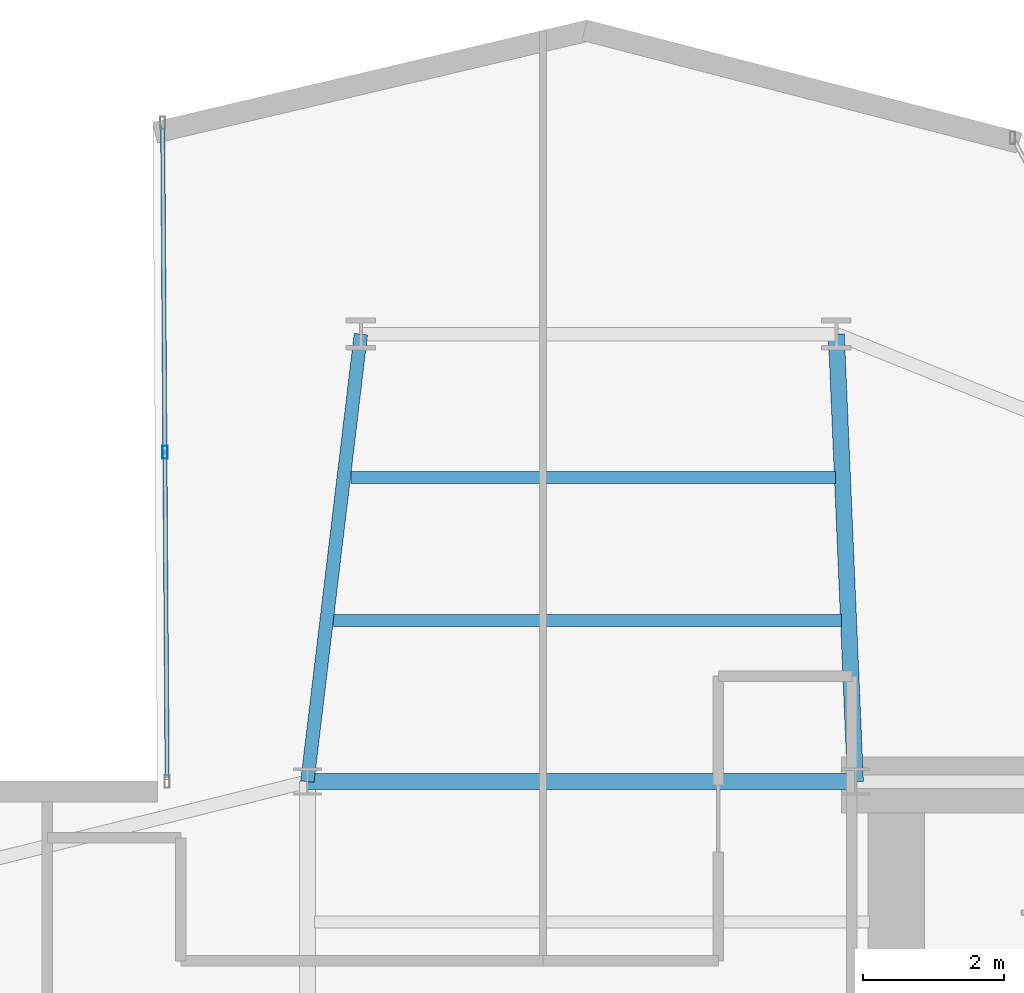
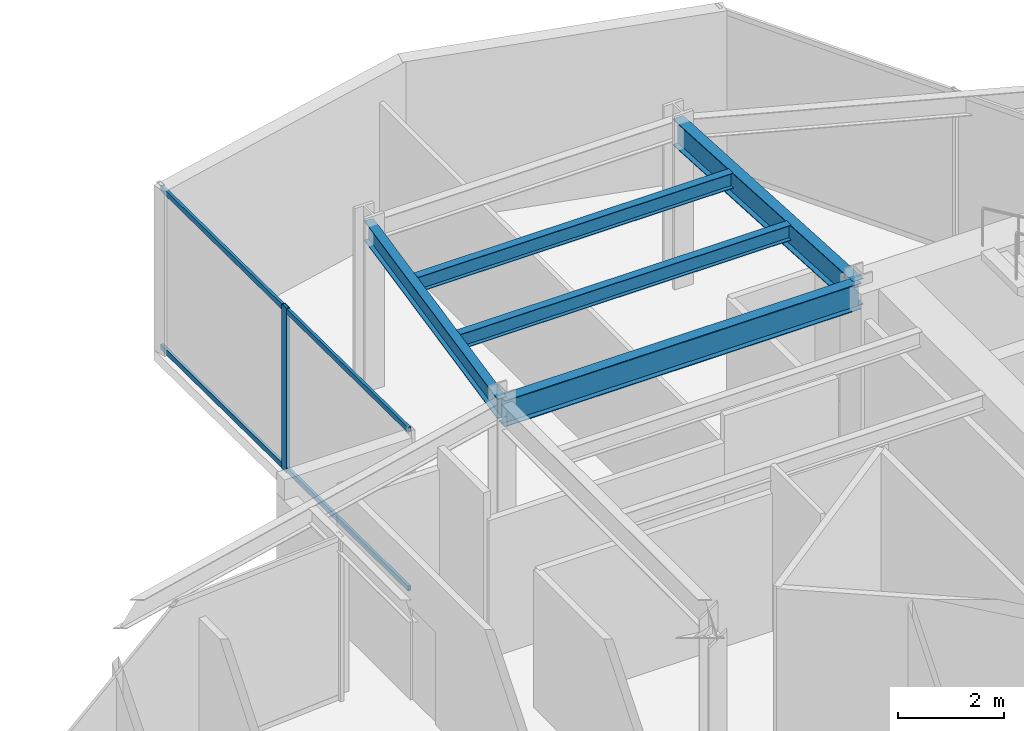
# One storey, part 12 of 26: 5 beams, 3 members, 1 element without a shape of its own.
"""IFC4 building model written with IfcOpenShell, lengths in metres."""

from ifc_helpers import new_model, si_unit, direction, frame, origin, origin_2d, place, context, subcontext, project, spatial, hollow_rectangle, i_section, extrude, material, layer, layer_set, material_profile, profile_set, type_object, element, aggregate, save


model = new_model("IFC4")

# Units and contexts
model_context = context("Model", 3, precision=1e-05, world=origin(), true_north=direction((0.0, 1.0)))
body_context = subcontext(model_context, "Body", "Model", "MODEL_VIEW")
ifc_project = project(units=[si_unit("LENGTHUNIT", "METRE"), si_unit("AREAUNIT", "SQUARE_METRE"), si_unit("VOLUMEUNIT", "CUBIC_METRE"), si_unit("PLANEANGLEUNIT", "RADIAN"), si_unit("MASSUNIT", "GRAM", prefix="KILO")], contexts=[model_context])

# Site, building, storey
site_placement = place(None, origin())
site = spatial("IfcSite", under=ifc_project, at=site_placement, CompositionType="ELEMENT")
building_placement = place(site_placement, origin())
building = spatial("IfcBuilding", under=site, at=building_placement, Name="Veymaron Broadcast Tower", CompositionType="ELEMENT")
storey_placement = place(building_placement, frame((0.0, 0.0, 153.300048828125)))
storey = spatial("IfcBuildingStorey", under=building, at=storey_placement, Name="L35", CompositionType="ELEMENT", Elevation=153.300048828125)

# Beams
ifc_material_1 = material(Name="Structural steel ASTM A992 Gr 50", Category="steel")
ifc_material_profile_1 = material_profile(ifc_material_1, i_section(OverallWidth=0.22802734375, OverallDepth=0.60791015625, WebThickness=0.01123046875, FlangeThickness=0.017333984375, at=origin_2d()), Name="W610X113")
ifc_profile_set_1 = profile_set([ifc_material_profile_1], Name="Structural steel ASTM A992 Gr 50")
beam_type_1 = type_object("IfcBeamType", Name="BM-FG2", PredefinedType="BEAM", material=ifc_profile_set_1)
beam_1_placement = place(storey_placement, frame((31.199951171875, 32.0, 3.505859375), z_axis=(1.0, 0.0, 0.0), x_axis=(0.0, 1.0, 0.0)))
element("IfcBeam", 1, at=beam_1_placement, inside=storey, type_object=beam_type_1, Name="L35 primary structural floor girder", PredefinedType="BEAM", context=body_context, shape_type="SweptSolid", body=[
    extrude(i_section(OverallWidth=0.22802734375, OverallDepth=0.60791015625, WebThickness=0.01123046875, FlangeThickness=0.017333984375, at=origin_2d()), origin(), (0.0, 0.0, 1.0), 7.800048828125),
])
beam_2_placement = place(storey_placement, frame((39.0, 32.0, 3.505859375), z_axis=(-0.04267091012, 0.99908918192, 0.0), x_axis=(-0.99908918192, -0.04267091012, 0.0)))
element("IfcBeam", 2, at=beam_2_placement, inside=storey, type_object=beam_type_1, Name="L35 primary structural floor girder", PredefinedType="BEAM", context=body_context, shape_type="SweptSolid", body=[
    extrude(i_section(OverallWidth=0.22802734375, OverallDepth=0.60791015625, WebThickness=0.01123046875, FlangeThickness=0.017333984375, at=origin_2d()), origin(), (0.0, 0.0, 1.0), 6.373779296875),
])
ifc_material_profile_2 = material_profile(ifc_material_1, i_section(OverallWidth=0.1708984375, OverallDepth=0.35498046875, WebThickness=0.007080078125, FlangeThickness=0.01171875, at=origin_2d()), Name="W360X51")
ifc_profile_set_2 = profile_set([ifc_material_profile_2], Name="Structural steel ASTM A992 Gr 50")
beam_type_2 = type_object("IfcBeamType", Name="BM-JS2", PredefinedType="JOIST", material=ifc_profile_set_2)
beam_3_placement = place(storey_placement, frame((31.57421875, 34.29248046875, 3.632568359375), z_axis=(1.0, 0.0, 0.0), x_axis=(0.0, 1.0, 0.0)))
element("IfcBeam", 3, at=beam_3_placement, inside=storey, type_object=beam_type_2, Name="L35 Arm-B secondary joist 1", PredefinedType="JOIST", context=body_context, shape_type="SweptSolid", body=[
    extrude(i_section(OverallWidth=0.1708984375, OverallDepth=0.35498046875, WebThickness=0.007080078125, FlangeThickness=0.01171875, at=origin_2d()), origin(), (0.0, 0.0, 1.0), 7.227783203125),
])
beam_4_placement = place(storey_placement, frame((31.81787109375, 36.330078125, 3.632568359375), z_axis=(1.0, 0.0, 0.0), x_axis=(0.0, 1.0, 0.0)))
element("IfcBeam", 4, at=beam_4_placement, inside=storey, type_object=beam_type_2, Name="L35 Arm-B secondary joist 2", PredefinedType="JOIST", context=body_context, shape_type="SweptSolid", body=[
    extrude(i_section(OverallWidth=0.1708984375, OverallDepth=0.35498046875, WebThickness=0.007080078125, FlangeThickness=0.01171875, at=origin_2d()), origin(), (0.0, 0.0, 1.0), 6.897216796875),
])
ifc_material_profile_3 = material_profile(ifc_material_1, i_section(OverallWidth=0.19091796875, OverallDepth=0.4599609375, WebThickness=0.010009765625, FlangeThickness=0.01611328125, at=origin_2d()), Name="W460X82")
ifc_profile_set_3 = profile_set([ifc_material_profile_3], Name="Structural steel ASTM A992 Gr 50")
beam_type_3 = type_object("IfcBeamType", Name="BM-SP1", PredefinedType="SPANDREL", material=ifc_profile_set_3)
beam_5_placement = place(storey_placement, frame((31.199951171875, 32.0, 3.579833984375), z_axis=(0.118771439522, 0.992921620851, 0.0), x_axis=(-0.992921620851, 0.118771439522, 0.0)))
element("IfcBeam", 5, at=beam_5_placement, inside=storey, type_object=beam_type_3, Name="L35 primary structural floor girder", PredefinedType="SPANDREL", context=body_context, shape_type="SweptSolid", body=[
    extrude(i_section(OverallWidth=0.19091796875, OverallDepth=0.4599609375, WebThickness=0.010009765625, FlangeThickness=0.01611328125, at=origin_2d()), origin(), (0.0, 0.0, 1.0), 6.413330078125),
])

# Curtain wall, members
ifc_material_2 = material(Name="Anodised aluminium AA 6063-T6 and laminated low-E dark glass", Category="aluminium")
ifc_layer = layer(ifc_material_2, 0.179931640625)
ifc_layer_set = layer_set([ifc_layer], Name="Anodised aluminium AA 6063-T6 and laminated low-E dark glass")
curtain_wall_type = type_object("IfcCurtainWallType", Name="CW-SYS-03", PredefinedType="NOTDEFINED", material=ifc_layer_set)
curtain_wall_placement = place(storey_placement, origin())
curtain_wall = element("IfcCurtainWall", 6, at=curtain_wall_placement, inside=storey, type_object=curtain_wall_type, Name="L35 dark-glass curtain wall CW-L35-E8-1", PredefinedType="NOTDEFINED")
ifc_material_3 = material(Name="Anodised aluminium AA 6063-T6", Category="aluminium")
ifc_material_profile_4 = material_profile(ifc_material_3, hollow_rectangle(XDim=0.074951171875, YDim=0.179931640625, WallThickness=0.0048828125, at=origin_2d()), Name="AL180X75X5")
ifc_profile_set_4 = profile_set([ifc_material_profile_4], Name="Anodised aluminium AA 6063-T6")
member_type_1 = type_object("IfcMemberType", Name="CW-MUL-02", PredefinedType="MULLION", material=ifc_profile_set_4)
member_1_placement = place(storey_placement, frame((29.173095703125, 36.6875, 0.0), z_axis=(0.0, 0.0, 1.0), x_axis=(1.0, 0.0, 0.0)))
member_1 = element("IfcMember", 7, at=member_1_placement, type_object=member_type_1, Name="CW-L35-E8-1 mullion 1", PredefinedType="MULLION", context=body_context, shape_type="SweptSolid", body=[
    extrude(hollow_rectangle(XDim=0.074951171875, YDim=0.179931640625, WallThickness=0.0048828125, at=origin_2d()), origin(), (0.0, 0.0, 1.0), 3.81005859375),
])
ifc_material_profile_5 = material_profile(ifc_material_3, hollow_rectangle(XDim=0.06005859375, YDim=0.1201171875, WallThickness=0.00390625, at=origin_2d()), Name="AL120X60X4")
ifc_profile_set_5 = profile_set([ifc_material_profile_5], Name="Anodised aluminium AA 6063-T6")
member_type_2 = type_object("IfcMemberType", Name="CW-TRN-02", PredefinedType="USERDEFINED", material=ifc_profile_set_5)
member_2_placement = place(storey_placement, frame((29.141357421875, 41.32373046875, 0.070068359375), z_axis=(0.006819040527, -0.999976750073, 0.0), x_axis=(0.999976750073, 0.006819040527, 0.0)))
member_2 = element("IfcMember", 8, at=member_2_placement, type_object=member_type_2, Name="CW-L35-E8-1 transom B", ObjectType="TRANSOM", PredefinedType="USERDEFINED", context=body_context, shape_type="SweptSolid", body=[
    extrude(hollow_rectangle(XDim=0.06005859375, YDim=0.1201171875, WallThickness=0.00390625, at=origin_2d()), origin(), (0.0, 0.0, 1.0), 9.27294921875),
])
member_3_placement = place(storey_placement, frame((29.141357421875, 41.32373046875, 3.739990234375), z_axis=(0.006819040527, -0.999976750073, 0.0), x_axis=(0.999976750073, 0.006819040527, 0.0)))
member_3 = element("IfcMember", 9, at=member_3_placement, type_object=member_type_2, Name="CW-L35-E8-1 transom T", ObjectType="TRANSOM", PredefinedType="USERDEFINED", context=body_context, shape_type="SweptSolid", body=[
    extrude(hollow_rectangle(XDim=0.06005859375, YDim=0.1201171875, WallThickness=0.00390625, at=origin_2d()), origin(), (0.0, 0.0, 1.0), 9.27294921875),
])
aggregate(curtain_wall, [member_1, member_2, member_3])

save(model, "model.ifc")
